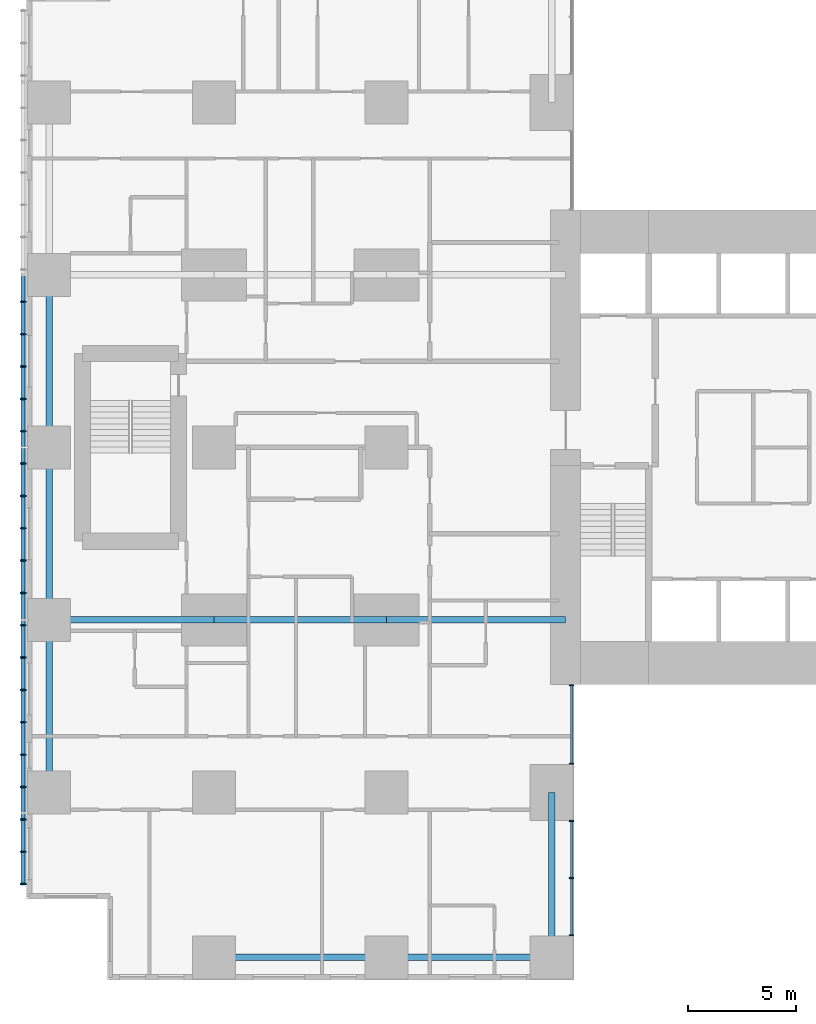
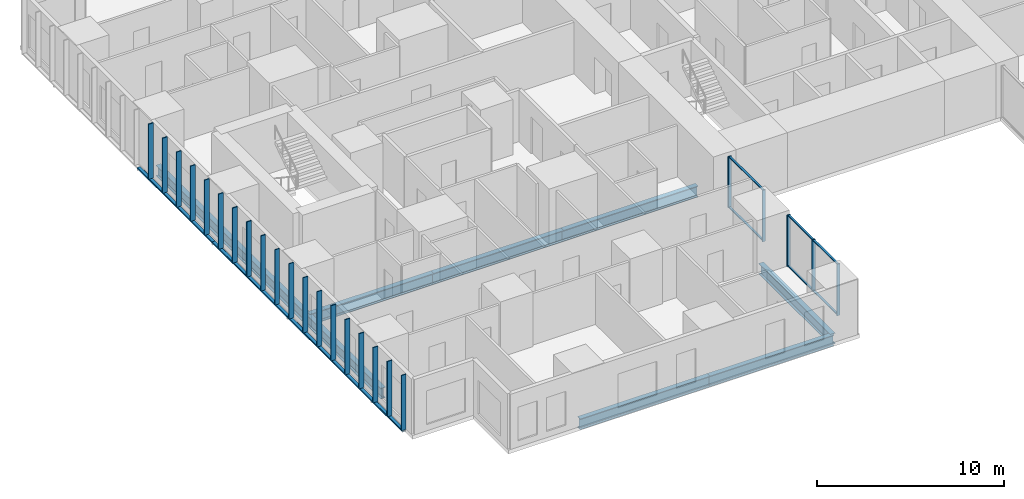
# One storey, part 2 of 21: 33 members, 9 beams, 2 elements without a shape of their own.
"""IFC4 building model written with IfcOpenShell, lengths in metres."""

from ifc_helpers import new_model, si_unit, direction, frame, origin, origin_2d, place, context, subcontext, project, spatial, rectangle, hollow_rectangle, i_section, extrude, material, layer, layer_set, material_profile, profile_set, type_object, element, aggregate, save


model = new_model("IFC4")

# Units and contexts
model_context = context("Model", 3, precision=1e-05, world=origin(), true_north=direction((0.0, 1.0)))
body_context = subcontext(model_context, "Body", "Model", "MODEL_VIEW")
ifc_project = project(units=[si_unit("LENGTHUNIT", "METRE"), si_unit("AREAUNIT", "SQUARE_METRE"), si_unit("VOLUMEUNIT", "CUBIC_METRE"), si_unit("PLANEANGLEUNIT", "RADIAN"), si_unit("MASSUNIT", "GRAM", prefix="KILO")], contexts=[model_context])

# Site, building, storey
site_placement = place(None, origin())
site = spatial("IfcSite", under=ifc_project, at=site_placement, CompositionType="ELEMENT")
building_placement = place(site_placement, origin())
building = spatial("IfcBuilding", under=site, at=building_placement, Name="Cleftline Residences", CompositionType="ELEMENT")
storey_placement = place(building_placement, frame((0.0, 0.0, 161.0)))
storey = spatial("IfcBuildingStorey", under=building, at=storey_placement, Name="L42", CompositionType="ELEMENT", Elevation=161.0)

# Members
ifc_material_1 = material(Name="Steel S355, hot-dip galvanised", Category="steel")
ifc_material_profile_1 = material_profile(ifc_material_1, hollow_rectangle(XDim=0.10009765625, YDim=0.199951171875, WallThickness=0.008056640625, InnerFilletRadius=0.008056640625, OuterFilletRadius=0.011962890625, at=origin_2d()))
ifc_profile_set_1 = profile_set([ifc_material_profile_1], Name="Steel S355, hot-dip galvanised")
member_type_1 = type_object("IfcMemberType", Name="BAGUETTE CARRIER RHS 200X100X8", PredefinedType="USERDEFINED", material=ifc_profile_set_1)
for number, where, z_axis, x_axis, name in (
    (1, (-0.85009765625, 32.0, -0.050048828125), (0.0, -1.0, 0.0), (0.0, 0.0, 1.0), "Baguette carrier"),
    (2, (-0.85009765625, 24.0, -0.050048828125), (0.0, -1.0, 0.0), (0.0, 0.0, 1.0), "Baguette carrier"),
):
    element("IfcMember", number, at=place(storey_placement, frame(where, z_axis=z_axis, x_axis=x_axis)), inside=storey, type_object=member_type_1, Name=name, ObjectType="BAGUETTE CARRIER", PredefinedType="USERDEFINED", context=body_context, shape_type="SweptSolid", body=[
        extrude(hollow_rectangle(XDim=0.10009765625, YDim=0.199951171875, WallThickness=0.008056640625, InnerFilletRadius=0.008056640625, OuterFilletRadius=0.011962890625, at=origin_2d()), origin(), (0.0, 0.0, 1.0), 8.0),
    ])
member_1_placement = place(storey_placement, frame((-0.85009765625, 16.0, -0.050048828125), z_axis=(0.0, -1.0, 0.0), x_axis=(0.0, 0.0, 1.0)))
element("IfcMember", 3, at=member_1_placement, inside=storey, type_object=member_type_1, Name="Baguette carrier", ObjectType="BAGUETTE CARRIER", PredefinedType="USERDEFINED", context=body_context, shape_type="SweptSolid", body=[
    extrude(hollow_rectangle(XDim=0.10009765625, YDim=0.199951171875, WallThickness=0.008056640625, InnerFilletRadius=0.008056640625, OuterFilletRadius=0.011962890625, at=origin_2d()), origin(), (0.0, 0.0, 1.0), 12.300048828125),
])

# Beams
ifc_material_2 = material(Name="Steel S355", Category="steel")
ifc_material_profile_2 = material_profile(ifc_material_2, i_section(OverallWidth=0.300048828125, OverallDepth=0.699951171875, WebThickness=0.01708984375, FlangeThickness=0.031982421875, FilletRadius=0.027099609375, at=origin_2d()))
ifc_profile_set_2 = profile_set([ifc_material_profile_2], Name="Steel S355")
beam_type_1 = type_object("IfcBeamType", Name="BEAM HEB 700", PredefinedType="BEAM", material=ifc_profile_set_2)
for number, where, z_axis, x_axis, name in (
    (4, (0.35009765625, 8.0, -0.60009765625), (0.0, 1.0, 0.0), (-1.0, 0.0, 0.0), "Edge beam"),
    (5, (0.35009765625, 16.0, -0.60009765625), (0.0, 1.0, 0.0), (-1.0, 0.0, 0.0), "Edge beam"),
    (6, (0.35009765625, 24.0, -0.60009765625), (0.0, 1.0, 0.0), (-1.0, 0.0, 0.0), "Edge beam"),
    (7, (8.0, 0.35009765625, -0.60009765625), (1.0, 0.0, 0.0), (0.0, 1.0, 0.0), "Edge beam"),
):
    element("IfcBeam", number, at=place(storey_placement, frame(where, z_axis=z_axis, x_axis=x_axis)), inside=storey, type_object=beam_type_1, Name=name, PredefinedType="BEAM", context=body_context, shape_type="SweptSolid", body=[
        extrude(i_section(OverallWidth=0.300048828125, OverallDepth=0.699951171875, WebThickness=0.01708984375, FlangeThickness=0.031982421875, FilletRadius=0.027099609375, at=origin_2d()), origin(), (0.0, 0.0, 1.0), 8.0),
    ])
for number, where, z_axis, x_axis, name in (
    (8, (16.0, 0.35009765625, -0.60009765625), (1.0, 0.0, 0.0), (0.0, 1.0, 0.0), "Edge beam"),
    (9, (23.64990234375, 0.35009765625, -0.60009765625), (0.0, 1.0, 0.0), (-1.0, 0.0, 0.0), "Edge beam"),
):
    element("IfcBeam", number, at=place(storey_placement, frame(where, z_axis=z_axis, x_axis=x_axis)), inside=storey, type_object=beam_type_1, Name=name, PredefinedType="BEAM", context=body_context, shape_type="SweptSolid", body=[
        extrude(i_section(OverallWidth=0.300048828125, OverallDepth=0.699951171875, WebThickness=0.01708984375, FlangeThickness=0.031982421875, FilletRadius=0.027099609375, at=origin_2d()), origin(), (0.0, 0.0, 1.0), 7.64990234375),
    ])
ifc_material_3 = material(Name="Steel S355", Category="steel")
ifc_material_profile_3 = material_profile(ifc_material_3, i_section(OverallWidth=0.303955078125, OverallDepth=0.716064453125, WebThickness=0.02099609375, FlangeThickness=0.0400390625, FilletRadius=0.027099609375, at=origin_2d()))
ifc_profile_set_3 = profile_set([ifc_material_profile_3], Name="Steel S355")
beam_type_2 = type_object("IfcBeamType", Name="BEAM HEM 700", PredefinedType="BEAM", material=ifc_profile_set_3)
beam_1_placement = place(storey_placement, frame((0.35009765625, 16.0, -0.60791015625), z_axis=(1.0, 0.0, 0.0), x_axis=(0.0, 1.0, 0.0)))
element("IfcBeam", 10, at=beam_1_placement, inside=storey, type_object=beam_type_2, Name="Band beam", PredefinedType="BEAM", context=body_context, shape_type="SweptSolid", body=[
    extrude(i_section(OverallWidth=0.303955078125, OverallDepth=0.716064453125, WebThickness=0.02099609375, FlangeThickness=0.0400390625, FilletRadius=0.027099609375, at=origin_2d()), origin(), (0.0, 0.0, 1.0), 7.64990234375),
])
beam_2_placement = place(storey_placement, frame((8.0, 16.0, -0.60791015625), z_axis=(1.0, 0.0, 0.0), x_axis=(0.0, 1.0, 0.0)))
element("IfcBeam", 11, at=beam_2_placement, inside=storey, type_object=beam_type_2, Name="Band beam", PredefinedType="BEAM", context=body_context, shape_type="SweptSolid", body=[
    extrude(i_section(OverallWidth=0.303955078125, OverallDepth=0.716064453125, WebThickness=0.02099609375, FlangeThickness=0.0400390625, FilletRadius=0.027099609375, at=origin_2d()), origin(), (0.0, 0.0, 1.0), 8.0),
])
beam_3_placement = place(storey_placement, frame((16.0, 16.0, -0.60791015625), z_axis=(1.0, 0.0, 0.0), x_axis=(0.0, 1.0, 0.0)))
element("IfcBeam", 12, at=beam_3_placement, inside=storey, type_object=beam_type_2, Name="Band beam", PredefinedType="BEAM", context=body_context, shape_type="SweptSolid", body=[
    extrude(i_section(OverallWidth=0.303955078125, OverallDepth=0.716064453125, WebThickness=0.02099609375, FlangeThickness=0.0400390625, FilletRadius=0.027099609375, at=origin_2d()), origin(), (0.0, 0.0, 1.0), 8.300048828125),
])

# Curtain wall, members
ifc_material_4 = material(Name="Aluminium framed curtain wall", Category="aluminium")
ifc_layer = layer(ifc_material_4, 0.199951171875)
ifc_layer_set = layer_set([ifc_layer], Name="CW1 CLEFT GLAZING")
curtain_wall_type = type_object("IfcCurtainWallType", Name="CW1 CLEFT GLAZING", PredefinedType="NOTDEFINED", material=ifc_layer_set)
curtain_wall_1_placement = place(storey_placement, origin())
curtain_wall_1 = element("IfcCurtainWall", 13, at=curtain_wall_1_placement, inside=storey, type_object=curtain_wall_type, Name="Curtain wall CW1", PredefinedType="NOTDEFINED")
ifc_material_5 = material(Name="Aluminium mullion", Category="aluminium")
ifc_material_profile_4 = material_profile(ifc_material_5, rectangle(XDim=0.199951171875, YDim=0.06005859375, at=origin_2d()))
ifc_profile_set_4 = profile_set([ifc_material_profile_4], Name="Aluminium mullion")
member_type_2 = type_object("IfcMemberType", Name="CW1 MULLION", PredefinedType="MULLION", material=ifc_profile_set_4)
member_2_placement = place(storey_placement, frame((24.574951171875, 1.3798828125, 0.0), z_axis=(0.0, 0.0, 1.0), x_axis=(-1.0, 0.0, 0.0)))
member_2 = element("IfcMember", 14, at=member_2_placement, type_object=member_type_2, Name="CW1 mullion 1", PredefinedType="MULLION", context=body_context, shape_type="SweptSolid", body=[
    extrude(rectangle(XDim=0.199951171875, YDim=0.06005859375, at=origin_2d()), origin(), (0.0, 0.0, 1.0), 3.35009765625),
])
member_3_placement = place(storey_placement, frame((24.574951171875, 4.02490234375, 0.0), z_axis=(0.0, 0.0, 1.0), x_axis=(-1.0, 0.0, 0.0)))
member_3 = element("IfcMember", 15, at=member_3_placement, type_object=member_type_2, Name="CW1 mullion 2", PredefinedType="MULLION", context=body_context, shape_type="SweptSolid", body=[
    extrude(rectangle(XDim=0.199951171875, YDim=0.06005859375, at=origin_2d()), origin(), (0.0, 0.0, 1.0), 3.35009765625),
])
member_4_placement = place(storey_placement, frame((24.574951171875, 6.669921875, 0.0), z_axis=(0.0, 0.0, 1.0), x_axis=(-1.0, 0.0, 0.0)))
member_4 = element("IfcMember", 16, at=member_4_placement, type_object=member_type_2, Name="CW1 mullion 3", PredefinedType="MULLION", context=body_context, shape_type="SweptSolid", body=[
    extrude(rectangle(XDim=0.199951171875, YDim=0.06005859375, at=origin_2d()), origin(), (0.0, 0.0, 1.0), 3.35009765625),
])

curtain_wall_2_placement = place(storey_placement, origin())
curtain_wall_2 = element("IfcCurtainWall", 17, at=curtain_wall_2_placement, inside=storey, type_object=curtain_wall_type, Name="Curtain wall CW1", PredefinedType="NOTDEFINED")
member_5_placement = place(storey_placement, frame((24.574951171875, 9.330078125, 0.0), z_axis=(0.0, 0.0, 1.0), x_axis=(-1.0, 0.0, 0.0)))
member_5 = element("IfcMember", 18, at=member_5_placement, type_object=member_type_2, Name="CW1 mullion 1", PredefinedType="MULLION", context=body_context, shape_type="SweptSolid", body=[
    extrude(rectangle(XDim=0.199951171875, YDim=0.06005859375, at=origin_2d()), origin(), (0.0, 0.0, 1.0), 3.35009765625),
])
member_6_placement = place(storey_placement, frame((24.574951171875, 12.969970703125, 0.0), z_axis=(0.0, 0.0, 1.0), x_axis=(-1.0, 0.0, 0.0)))
member_6 = element("IfcMember", 19, at=member_6_placement, type_object=member_type_2, Name="CW1 mullion 2", PredefinedType="MULLION", context=body_context, shape_type="SweptSolid", body=[
    extrude(rectangle(XDim=0.199951171875, YDim=0.06005859375, at=origin_2d()), origin(), (0.0, 0.0, 1.0), 3.35009765625),
])

# Member
ifc_material_6 = material(Name="Aluminium transom", Category="aluminium")
ifc_material_profile_5 = material_profile(ifc_material_6, rectangle(XDim=0.1201171875, YDim=0.06005859375, at=origin_2d()))
ifc_profile_set_5 = profile_set([ifc_material_profile_5], Name="Aluminium transom")
member_type_3 = type_object("IfcMemberType", Name="CW1 TRANSOM", PredefinedType="USERDEFINED", material=ifc_profile_set_5)
member_7_placement = place(storey_placement, frame((24.574951171875, 1.409912109375, 0.030029296875), z_axis=(0.0, 1.0, 0.0), x_axis=(-1.0, 0.0, 0.0)))
member_7 = element("IfcMember", 20, at=member_7_placement, type_object=member_type_3, Name="CW1 transom 1.1", ObjectType="TRANSOM", PredefinedType="USERDEFINED", context=body_context, shape_type="SweptSolid", body=[
    extrude(rectangle(XDim=0.1201171875, YDim=0.06005859375, at=origin_2d()), origin(), (0.0, 0.0, 1.0), 2.585205078125),
])

member_8_placement = place(storey_placement, frame((24.574951171875, 1.409912109375, 3.320068359375), z_axis=(0.0, 1.0, 0.0), x_axis=(-1.0, 0.0, 0.0)))
member_8 = element("IfcMember", 21, at=member_8_placement, type_object=member_type_3, Name="CW1 transom 1.2", ObjectType="TRANSOM", PredefinedType="USERDEFINED", context=body_context, shape_type="SweptSolid", body=[
    extrude(rectangle(XDim=0.1201171875, YDim=0.06005859375, at=origin_2d()), origin(), (0.0, 0.0, 1.0), 2.585205078125),
])

member_9_placement = place(storey_placement, frame((24.574951171875, 4.054931640625, 0.030029296875), z_axis=(0.0, 1.0, 0.0), x_axis=(-1.0, 0.0, 0.0)))
member_9 = element("IfcMember", 22, at=member_9_placement, type_object=member_type_3, Name="CW1 transom 2.1", ObjectType="TRANSOM", PredefinedType="USERDEFINED", context=body_context, shape_type="SweptSolid", body=[
    extrude(rectangle(XDim=0.1201171875, YDim=0.06005859375, at=origin_2d()), origin(), (0.0, 0.0, 1.0), 2.5849609375),
])

member_10_placement = place(storey_placement, frame((24.574951171875, 4.054931640625, 3.320068359375), z_axis=(0.0, 1.0, 0.0), x_axis=(-1.0, 0.0, 0.0)))
member_10 = element("IfcMember", 23, at=member_10_placement, type_object=member_type_3, Name="CW1 transom 2.2", ObjectType="TRANSOM", PredefinedType="USERDEFINED", context=body_context, shape_type="SweptSolid", body=[
    extrude(rectangle(XDim=0.1201171875, YDim=0.06005859375, at=origin_2d()), origin(), (0.0, 0.0, 1.0), 2.5849609375),
])

aggregate(curtain_wall_1, [member_2, member_3, member_4, member_7, member_8, member_9, member_10])

member_11_placement = place(storey_placement, frame((24.574951171875, 9.360107421875, 0.030029296875), z_axis=(0.0, 1.0, 0.0), x_axis=(-1.0, 0.0, 0.0)))
member_11 = element("IfcMember", 24, at=member_11_placement, type_object=member_type_3, Name="CW1 transom 1.1", ObjectType="TRANSOM", PredefinedType="USERDEFINED", context=body_context, shape_type="SweptSolid", body=[
    extrude(rectangle(XDim=0.1201171875, YDim=0.06005859375, at=origin_2d()), origin(), (0.0, 0.0, 1.0), 3.579833984375),
])

member_12_placement = place(storey_placement, frame((24.574951171875, 9.360107421875, 3.320068359375), z_axis=(0.0, 1.0, 0.0), x_axis=(-1.0, 0.0, 0.0)))
member_12 = element("IfcMember", 25, at=member_12_placement, type_object=member_type_3, Name="CW1 transom 1.2", ObjectType="TRANSOM", PredefinedType="USERDEFINED", context=body_context, shape_type="SweptSolid", body=[
    extrude(rectangle(XDim=0.1201171875, YDim=0.06005859375, at=origin_2d()), origin(), (0.0, 0.0, 1.0), 3.579833984375),
])

aggregate(curtain_wall_2, [member_5, member_6, member_11, member_12])

# Members
ifc_material_7 = material(Name="Extruded terracotta", Category="masonry")
ifc_material_profile_6 = material_profile(ifc_material_7, rectangle(XDim=0.06005859375, YDim=0.300048828125, at=origin_2d()))
ifc_profile_set_6 = profile_set([ifc_material_profile_6], Name="Extruded terracotta")
member_type_4 = type_object("IfcMemberType", Name="TERRACOTTA BAGUETTE 60X300", PredefinedType="USERDEFINED", material=ifc_profile_set_6)
for number, where, z_axis, x_axis, name in (
    (26, (-0.85009765625, 30.75, 0.0), (0.0, 0.0, 1.0), (0.0, 1.0, 0.0), "Terracotta baguette"),
    (27, (-0.85009765625, 29.25, 0.0), (0.0, 0.0, 1.0), (0.0, 1.0, 0.0), "Terracotta baguette"),
    (28, (-0.85009765625, 27.75, 0.0), (0.0, 0.0, 1.0), (0.0, 1.0, 0.0), "Terracotta baguette"),
    (29, (-0.85009765625, 26.25, 0.0), (0.0, 0.0, 1.0), (0.0, 1.0, 0.0), "Terracotta baguette"),
    (30, (-0.85009765625, 24.75, 0.0), (0.0, 0.0, 1.0), (0.0, 1.0, 0.0), "Terracotta baguette"),
    (31, (-0.85009765625, 23.25, 0.0), (0.0, 0.0, 1.0), (0.0, 1.0, 0.0), "Terracotta baguette"),
    (32, (-0.85009765625, 21.75, 0.0), (0.0, 0.0, 1.0), (0.0, 1.0, 0.0), "Terracotta baguette"),
    (33, (-0.85009765625, 20.25, 0.0), (0.0, 0.0, 1.0), (0.0, 1.0, 0.0), "Terracotta baguette"),
    (34, (-0.85009765625, 18.75, 0.0), (0.0, 0.0, 1.0), (0.0, 1.0, 0.0), "Terracotta baguette"),
    (35, (-0.85009765625, 17.25, 0.0), (0.0, 0.0, 1.0), (0.0, 1.0, 0.0), "Terracotta baguette"),
    (36, (-0.85009765625, 15.75, 0.0), (0.0, 0.0, 1.0), (0.0, 1.0, 0.0), "Terracotta baguette"),
    (37, (-0.85009765625, 14.25, 0.0), (0.0, 0.0, 1.0), (0.0, 1.0, 0.0), "Terracotta baguette"),
    (38, (-0.85009765625, 12.75, 0.0), (0.0, 0.0, 1.0), (0.0, 1.0, 0.0), "Terracotta baguette"),
    (39, (-0.85009765625, 11.25, 0.0), (0.0, 0.0, 1.0), (0.0, 1.0, 0.0), "Terracotta baguette"),
    (40, (-0.85009765625, 9.75, 0.0), (0.0, 0.0, 1.0), (0.0, 1.0, 0.0), "Terracotta baguette"),
    (41, (-0.85009765625, 8.25, 0.0), (0.0, 0.0, 1.0), (0.0, 1.0, 0.0), "Terracotta baguette"),
    (42, (-0.85009765625, 6.75, 0.0), (0.0, 0.0, 1.0), (0.0, 1.0, 0.0), "Terracotta baguette"),
    (43, (-0.85009765625, 5.25, 0.0), (0.0, 0.0, 1.0), (0.0, 1.0, 0.0), "Terracotta baguette"),
    (44, (-0.85009765625, 3.75, 0.0), (0.0, 0.0, 1.0), (0.0, 1.0, 0.0), "Terracotta baguette"),
):
    element("IfcMember", number, at=place(storey_placement, frame(where, z_axis=z_axis, x_axis=x_axis)), inside=storey, type_object=member_type_4, Name=name, ObjectType="BAGUETTE", PredefinedType="USERDEFINED", context=body_context, shape_type="SweptSolid", body=[
        extrude(rectangle(XDim=0.06005859375, YDim=0.300048828125, at=origin_2d()), origin(), (0.0, 0.0, 1.0), 3.60009765625),
    ])

save(model, "model.ifc")
